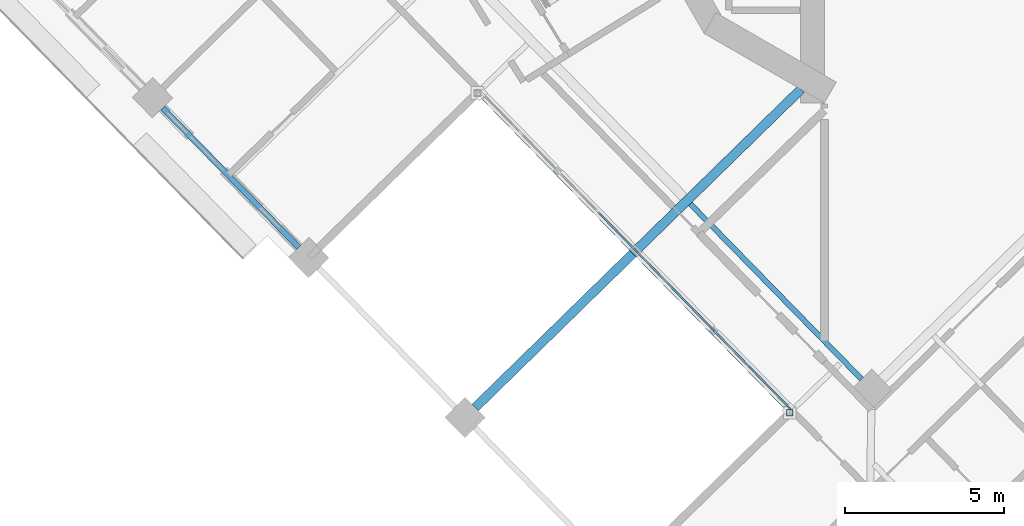
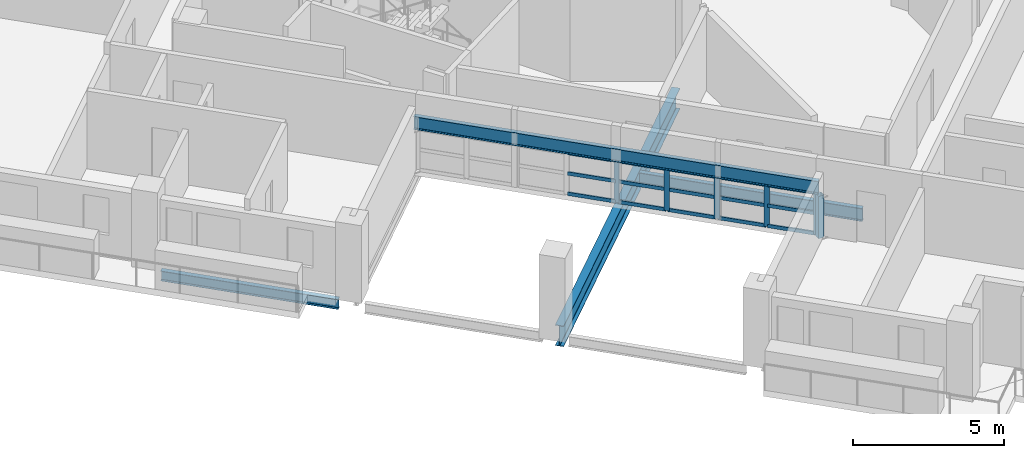
# One storey, part 2 of 19: 21 members, 4 beams, 1 element without a shape of its own.
"""IFC4 building model written with IfcOpenShell, lengths in metres."""

from ifc_helpers import new_model, si_unit, direction, frame, origin, origin_2d, place, context, subcontext, project, spatial, rectangle, hollow_rectangle, i_section, extrude, material, material_profile, profile_set, type_object, element, aggregate, save


model = new_model("IFC4")

# Units and contexts
model_context = context("Model", 3, precision=1e-05, world=origin(), true_north=direction((0.0, 1.0)))
body_context = subcontext(model_context, "Body", "Model", "MODEL_VIEW")
ifc_project = project(units=[si_unit("LENGTHUNIT", "METRE"), si_unit("AREAUNIT", "SQUARE_METRE"), si_unit("VOLUMEUNIT", "CUBIC_METRE"), si_unit("PLANEANGLEUNIT", "RADIAN"), si_unit("MASSUNIT", "GRAM", prefix="KILO")], contexts=[model_context])

# Site, building, storey
site_placement = place(None, origin())
site = spatial("IfcSite", under=ifc_project, at=site_placement, CompositionType="ELEMENT")
building_placement = place(site_placement, origin())
building = spatial("IfcBuilding", under=site, at=building_placement, Name="Cantera Rosa Tower", CompositionType="ELEMENT")
storey_placement = place(building_placement, frame((0.0, 0.0, 241.39990234375)))
storey = spatial("IfcBuildingStorey", under=building, at=storey_placement, Name="L53", CompositionType="ELEMENT", Elevation=241.39990234375)

# Curtain wall, members
ifc_material_1 = material(Name="Aluminium frame with clear glass", Category="aluminium")
curtain_wall_type = type_object("IfcCurtainWallType", Name="CW1 TERRACE POCKET GLAZING", PredefinedType="NOTDEFINED", material=ifc_material_1)
curtain_wall_placement = place(storey_placement, origin())
curtain_wall = element("IfcCurtainWall", 1, at=curtain_wall_placement, inside=storey, type_object=curtain_wall_type, Name="CW1 CW1", PredefinedType="NOTDEFINED")
ifc_material_2 = material(Name="Anodised bronze aluminium", Category="aluminium")
ifc_material_profile_1 = material_profile(ifc_material_2, rectangle(XDim=0.06005859375, YDim=0.179931640625, at=origin_2d()), Name="CW-MULLION 60x180 POCKET")
ifc_profile_set_1 = profile_set([ifc_material_profile_1], Name="Anodised bronze aluminium")
member_type_1 = type_object("IfcMemberType", Name="CW-MULLION 60x180 POCKET", PredefinedType="MULLION", material=ifc_profile_set_1)
member_1_placement = place(storey_placement, frame((-9.921630859375, -14.600341796875, 0.0), z_axis=(0.0, 0.0, 1.0), x_axis=(0.715286291058, 0.698831540376, 0.0)))
member_1 = element("IfcMember", 2, at=member_1_placement, type_object=member_type_1, Name="CW1 mullion 5", PredefinedType="MULLION", context=body_context, shape_type="SweptSolid", body=[
    extrude(rectangle(XDim=0.06005859375, YDim=0.179931640625, at=origin_2d()), origin(), (0.0, 0.0, 1.0), 1.7041015625),
])
member_2_placement = place(storey_placement, frame((-8.717041015625, -15.83349609375, 0.0), z_axis=(0.0, 0.0, 1.0), x_axis=(0.715286291058, 0.698831540376, 0.0)))
member_2 = element("IfcMember", 3, at=member_2_placement, type_object=member_type_1, Name="CW1 mullion 6", PredefinedType="MULLION", context=body_context, shape_type="SweptSolid", body=[
    extrude(rectangle(XDim=0.06005859375, YDim=0.179931640625, at=origin_2d()), origin(), (0.0, 0.0, 1.0), 1.7041015625),
])
member_3_placement = place(storey_placement, frame((-7.512451171875, -17.06640625, 0.0), z_axis=(0.0, 0.0, 1.0), x_axis=(0.715286291058, 0.698831540376, 0.0)))
member_3 = element("IfcMember", 4, at=member_3_placement, type_object=member_type_1, Name="CW1 mullion 7", PredefinedType="MULLION", context=body_context, shape_type="SweptSolid", body=[
    extrude(rectangle(XDim=0.06005859375, YDim=0.179931640625, at=origin_2d()), origin(), (0.0, 0.0, 1.0), 1.7041015625),
])
member_4_placement = place(storey_placement, frame((-6.3076171875, -18.29931640625, 0.0), z_axis=(0.0, 0.0, 1.0), x_axis=(0.715286291058, 0.698831540376, 0.0)))
member_4 = element("IfcMember", 5, at=member_4_placement, type_object=member_type_1, Name="CW1 mullion 8", PredefinedType="MULLION", context=body_context, shape_type="SweptSolid", body=[
    extrude(rectangle(XDim=0.06005859375, YDim=0.179931640625, at=origin_2d()), origin(), (0.0, 0.0, 1.0), 1.7041015625),
])
member_5_placement = place(storey_placement, frame((-5.1240234375, -19.510986328125, 0.0), z_axis=(0.0, 0.0, 1.0), x_axis=(0.715286291058, 0.698831540376, 0.0)))
member_5 = element("IfcMember", 6, at=member_5_placement, type_object=member_type_1, Name="CW1 mullion 9", PredefinedType="MULLION", context=body_context, shape_type="SweptSolid", body=[
    extrude(rectangle(XDim=0.06005859375, YDim=0.179931640625, at=origin_2d()), origin(), (0.0, 0.0, 1.0), 1.7041015625),
])
ifc_material_3 = material(Name="Anodised bronze aluminium", Category="aluminium")
ifc_material_profile_2 = material_profile(ifc_material_3, rectangle(XDim=0.06005859375, YDim=0.139892578125, at=origin_2d()), Name="CW-TRANSOM 60x140 POCKET")
ifc_profile_set_2 = profile_set([ifc_material_profile_2], Name="Anodised bronze aluminium")
member_type_2 = type_object("IfcMemberType", Name="CW-TRANSOM 60x140 POCKET", PredefinedType="USERDEFINED", material=ifc_profile_set_2)
member_6_placement = place(storey_placement, frame((-11.105224609375, -13.388916015625, 0.030029296875), z_axis=(0.698767465746, -0.71534888608, 0.0), x_axis=(0.71534888608, 0.698767465746, 0.0)))
member_6 = element("IfcMember", 7, at=member_6_placement, type_object=member_type_2, Name="CW1 transom 4.1", ObjectType="TRANSOM", PredefinedType="USERDEFINED", context=body_context, shape_type="SweptSolid", body=[
    extrude(rectangle(XDim=0.06005859375, YDim=0.139892578125, at=origin_2d()), origin(), (0.0, 0.0, 1.0), 1.663818359375),
])
member_7_placement = place(storey_placement, frame((-11.105224609375, -13.388916015625, 0.85205078125), z_axis=(0.698767465746, -0.71534888608, 0.0), x_axis=(0.71534888608, 0.698767465746, 0.0)))
member_7 = element("IfcMember", 8, at=member_7_placement, type_object=member_type_2, Name="CW1 transom 4.2", ObjectType="TRANSOM", PredefinedType="USERDEFINED", context=body_context, shape_type="SweptSolid", body=[
    extrude(rectangle(XDim=0.06005859375, YDim=0.139892578125, at=origin_2d()), origin(), (0.0, 0.0, 1.0), 1.663818359375),
])
member_8_placement = place(storey_placement, frame((-11.105224609375, -13.388916015625, 1.674072265625), z_axis=(0.698767465746, -0.71534888608, 0.0), x_axis=(0.71534888608, 0.698767465746, 0.0)))
member_8 = element("IfcMember", 9, at=member_8_placement, type_object=member_type_2, Name="CW1 transom 4.3", ObjectType="TRANSOM", PredefinedType="USERDEFINED", context=body_context, shape_type="SweptSolid", body=[
    extrude(rectangle(XDim=0.06005859375, YDim=0.139892578125, at=origin_2d()), origin(), (0.0, 0.0, 1.0), 1.663818359375),
])
member_9_placement = place(storey_placement, frame((-9.900634765625, -14.621826171875, 0.030029296875), z_axis=(0.698842543678, -0.715275540716, 0.0), x_axis=(0.715275540716, 0.698842543678, 0.0)))
member_9 = element("IfcMember", 10, at=member_9_placement, type_object=member_type_2, Name="CW1 transom 5.1", ObjectType="TRANSOM", PredefinedType="USERDEFINED", context=body_context, shape_type="SweptSolid", body=[
    extrude(rectangle(XDim=0.06005859375, YDim=0.139892578125, at=origin_2d()), origin(), (0.0, 0.0, 1.0), 1.6640625),
])
member_10_placement = place(storey_placement, frame((-9.900634765625, -14.621826171875, 0.85205078125), z_axis=(0.698842543678, -0.715275540716, 0.0), x_axis=(0.715275540716, 0.698842543678, 0.0)))
member_10 = element("IfcMember", 11, at=member_10_placement, type_object=member_type_2, Name="CW1 transom 5.2", ObjectType="TRANSOM", PredefinedType="USERDEFINED", context=body_context, shape_type="SweptSolid", body=[
    extrude(rectangle(XDim=0.06005859375, YDim=0.139892578125, at=origin_2d()), origin(), (0.0, 0.0, 1.0), 1.6640625),
])
member_11_placement = place(storey_placement, frame((-9.900634765625, -14.621826171875, 1.674072265625), z_axis=(0.698842543678, -0.715275540716, 0.0), x_axis=(0.715275540716, 0.698842543678, 0.0)))
member_11 = element("IfcMember", 12, at=member_11_placement, type_object=member_type_2, Name="CW1 transom 5.3", ObjectType="TRANSOM", PredefinedType="USERDEFINED", context=body_context, shape_type="SweptSolid", body=[
    extrude(rectangle(XDim=0.06005859375, YDim=0.139892578125, at=origin_2d()), origin(), (0.0, 0.0, 1.0), 1.6640625),
])
member_12_placement = place(storey_placement, frame((-8.696044921875, -15.85498046875, 0.030029296875), z_axis=(0.698915889484, -0.715203872632, 0.0), x_axis=(0.715203872632, 0.698915889484, 0.0)))
member_12 = element("IfcMember", 13, at=member_12_placement, type_object=member_type_2, Name="CW1 transom 6.1", ObjectType="TRANSOM", PredefinedType="USERDEFINED", context=body_context, shape_type="SweptSolid", body=[
    extrude(rectangle(XDim=0.06005859375, YDim=0.139892578125, at=origin_2d()), origin(), (0.0, 0.0, 1.0), 1.663818359375),
])
member_13_placement = place(storey_placement, frame((-8.696044921875, -15.85498046875, 0.85205078125), z_axis=(0.698915889484, -0.715203872632, 0.0), x_axis=(0.715203872632, 0.698915889484, 0.0)))
member_13 = element("IfcMember", 14, at=member_13_placement, type_object=member_type_2, Name="CW1 transom 6.2", ObjectType="TRANSOM", PredefinedType="USERDEFINED", context=body_context, shape_type="SweptSolid", body=[
    extrude(rectangle(XDim=0.06005859375, YDim=0.139892578125, at=origin_2d()), origin(), (0.0, 0.0, 1.0), 1.663818359375),
])
member_14_placement = place(storey_placement, frame((-8.696044921875, -15.85498046875, 1.674072265625), z_axis=(0.698915889484, -0.715203872632, 0.0), x_axis=(0.715203872632, 0.698915889484, 0.0)))
member_14 = element("IfcMember", 15, at=member_14_placement, type_object=member_type_2, Name="CW1 transom 6.3", ObjectType="TRANSOM", PredefinedType="USERDEFINED", context=body_context, shape_type="SweptSolid", body=[
    extrude(rectangle(XDim=0.06005859375, YDim=0.139892578125, at=origin_2d()), origin(), (0.0, 0.0, 1.0), 1.663818359375),
])
member_15_placement = place(storey_placement, frame((-7.491455078125, -17.087890625, 0.030029296875), z_axis=(0.698915889484, -0.715203872632, 0.0), x_axis=(0.715203872632, 0.698915889484, 0.0)))
member_15 = element("IfcMember", 16, at=member_15_placement, type_object=member_type_2, Name="CW1 transom 7.1", ObjectType="TRANSOM", PredefinedType="USERDEFINED", context=body_context, shape_type="SweptSolid", body=[
    extrude(rectangle(XDim=0.06005859375, YDim=0.139892578125, at=origin_2d()), origin(), (0.0, 0.0, 1.0), 1.663818359375),
])
member_16_placement = place(storey_placement, frame((-7.491455078125, -17.087890625, 0.85205078125), z_axis=(0.698915889484, -0.715203872632, 0.0), x_axis=(0.715203872632, 0.698915889484, 0.0)))
member_16 = element("IfcMember", 17, at=member_16_placement, type_object=member_type_2, Name="CW1 transom 7.2", ObjectType="TRANSOM", PredefinedType="USERDEFINED", context=body_context, shape_type="SweptSolid", body=[
    extrude(rectangle(XDim=0.06005859375, YDim=0.139892578125, at=origin_2d()), origin(), (0.0, 0.0, 1.0), 1.663818359375),
])
member_17_placement = place(storey_placement, frame((-7.491455078125, -17.087890625, 1.674072265625), z_axis=(0.698915889484, -0.715203872632, 0.0), x_axis=(0.715203872632, 0.698915889484, 0.0)))
member_17 = element("IfcMember", 18, at=member_17_placement, type_object=member_type_2, Name="CW1 transom 7.3", ObjectType="TRANSOM", PredefinedType="USERDEFINED", context=body_context, shape_type="SweptSolid", body=[
    extrude(rectangle(XDim=0.06005859375, YDim=0.139892578125, at=origin_2d()), origin(), (0.0, 0.0, 1.0), 1.663818359375),
])
member_18_placement = place(storey_placement, frame((-6.286865234375, -18.32080078125, 0.030029296875), z_axis=(0.698840881454, -0.715277164747, 0.0), x_axis=(0.715277164747, 0.698840881454, 0.0)))
member_18 = element("IfcMember", 19, at=member_18_placement, type_object=member_type_2, Name="CW1 transom 8.1", ObjectType="TRANSOM", PredefinedType="USERDEFINED", context=body_context, shape_type="SweptSolid", body=[
    extrude(rectangle(XDim=0.06005859375, YDim=0.139892578125, at=origin_2d()), origin(), (0.0, 0.0, 1.0), 1.634033203125),
])
member_19_placement = place(storey_placement, frame((-6.286865234375, -18.32080078125, 0.85205078125), z_axis=(0.698840881454, -0.715277164747, 0.0), x_axis=(0.715277164747, 0.698840881454, 0.0)))
member_19 = element("IfcMember", 20, at=member_19_placement, type_object=member_type_2, Name="CW1 transom 8.2", ObjectType="TRANSOM", PredefinedType="USERDEFINED", context=body_context, shape_type="SweptSolid", body=[
    extrude(rectangle(XDim=0.06005859375, YDim=0.139892578125, at=origin_2d()), origin(), (0.0, 0.0, 1.0), 1.634033203125),
])
member_20_placement = place(storey_placement, frame((-6.286865234375, -18.32080078125, 1.674072265625), z_axis=(0.698840881454, -0.715277164747, 0.0), x_axis=(0.715277164747, 0.698840881454, 0.0)))
member_20 = element("IfcMember", 21, at=member_20_placement, type_object=member_type_2, Name="CW1 transom 8.3", ObjectType="TRANSOM", PredefinedType="USERDEFINED", context=body_context, shape_type="SweptSolid", body=[
    extrude(rectangle(XDim=0.06005859375, YDim=0.139892578125, at=origin_2d()), origin(), (0.0, 0.0, 1.0), 1.634033203125),
])
aggregate(curtain_wall, [member_1, member_2, member_3, member_4, member_5, member_6, member_7, member_8, member_9, member_10, member_11, member_12, member_13, member_14, member_15, member_16, member_17, member_18, member_19, member_20])

# Member
ifc_material_4 = material(Name="Steel ASTM A992 (Fy 345 MPa)", Category="steel")
ifc_material_profile_3 = material_profile(ifc_material_4, hollow_rectangle(XDim=0.199951171875, YDim=0.199951171875, WallThickness=0.010009765625, at=origin_2d()), Name="LINTEL POST RHS 200x200x10")
ifc_profile_set_3 = profile_set([ifc_material_profile_3], Name="Steel ASTM A992 (Fy 345 MPa)")
member_type_3 = type_object("IfcMemberType", Name="LINTEL POST RHS 200x200x10", PredefinedType="USERDEFINED", material=ifc_profile_set_3)
member_21_placement = place(storey_placement, frame((-5.08740234375, -19.691650390625, 0.0), z_axis=(0.0, 0.0, 1.0), x_axis=(1.0, 0.0, 0.0)))
element("IfcMember", 22, at=member_21_placement, inside=storey, type_object=member_type_3, Name="LINTEL POST L53-2", ObjectType="LINTEL POST", PredefinedType="USERDEFINED", context=body_context, shape_type="SweptSolid", body=[
    extrude(hollow_rectangle(XDim=0.199951171875, YDim=0.199951171875, WallThickness=0.010009765625, at=origin_2d()), origin(), (0.0, 0.0, 1.0), 1.7060546875),
])

# Beams
ifc_material_5 = material(Name="Steel ASTM A992 (Fy 345 MPa)", Category="steel")
ifc_material_profile_4 = material_profile(ifc_material_5, i_section(OverallWidth=0.166015625, OverallDepth=0.528076171875, WebThickness=0.009765625, FlangeThickness=0.013671875, FilletRadius=0.0126953125, at=origin_2d()), Name="W530X74")
ifc_profile_set_4 = profile_set([ifc_material_profile_4], Name="Steel ASTM A992 (Fy 345 MPa)")
beam_type_1 = type_object("IfcBeamType", Name="STEEL BEAM W530X74", PredefinedType="BEAM", material=ifc_profile_set_4)
beam_1_placement = place(storey_placement, frame((-2.833251953125, -18.635986328125, -0.513916015625), z_axis=(-0.698820376914, 0.71529719754, 0.0), x_axis=(-0.71529719754, -0.698820376914, 0.0)))
element("IfcBeam", 23, at=beam_1_placement, inside=storey, type_object=beam_type_1, Name="RB-Z4-06 L53", PredefinedType="BEAM", context=body_context, shape_type="SweptSolid", body=[
    extrude(i_section(OverallWidth=0.166015625, OverallDepth=0.528076171875, WebThickness=0.009765625, FlangeThickness=0.013671875, FilletRadius=0.0126953125, at=origin_2d()), origin(), (0.0, 0.0, 1.0), 7.690185546875),
])
beam_2_placement = place(storey_placement, frame((-14.828125, -9.64990234375, 1.97021484375), z_axis=(0.698836233689, -0.715281705682, 0.0), x_axis=(0.715281705682, 0.698836233689, 0.0)))
element("IfcBeam", 24, at=beam_2_placement, inside=storey, type_object=beam_type_1, Name="LINTEL SL-L53", PredefinedType="BEAM", context=body_context, shape_type="SweptSolid", body=[
    extrude(i_section(OverallWidth=0.166015625, OverallDepth=0.528076171875, WebThickness=0.009765625, FlangeThickness=0.013671875, FilletRadius=0.0126953125, at=origin_2d()), origin(), (0.0, 0.0, 1.0), 13.93994140625),
])
ifc_material_6 = material(Name="Steel ASTM A992 (Fy 345 MPa)", Category="steel")
ifc_material_profile_5 = material_profile(ifc_material_6, i_section(OverallWidth=0.2919921875, OverallDepth=0.8359375, WebThickness=0.013916015625, FlangeThickness=0.018798828125, FilletRadius=0.017822265625, at=origin_2d()), Name="W840X176")
ifc_profile_set_5 = profile_set([ifc_material_profile_5], Name="Steel ASTM A992 (Fy 345 MPa)")
beam_type_2 = type_object("IfcBeamType", Name="STEEL BEAM W840X176", PredefinedType="BEAM", material=ifc_profile_set_5)
beam_3_placement = place(storey_placement, frame((-14.96435546875, -19.527099609375, -0.66796875), z_axis=(0.715288446628, 0.698829334045, 0.0), x_axis=(-0.698829334045, 0.715288446628, 0.0)))
element("IfcBeam", 25, at=beam_3_placement, inside=storey, type_object=beam_type_2, Name="G-Z4-15 L53", PredefinedType="BEAM", context=body_context, shape_type="SweptSolid", body=[
    extrude(i_section(OverallWidth=0.2919921875, OverallDepth=0.8359375, WebThickness=0.013916015625, FlangeThickness=0.018798828125, FilletRadius=0.017822265625, at=origin_2d()), origin(), (0.0, 0.0, 1.0), 14.299072265625),
])
ifc_material_7 = material(Name="Steel ASTM A992 (Fy 345 MPa)", Category="steel")
ifc_material_profile_6 = material_profile(ifc_material_7, i_section(OverallWidth=0.177978515625, OverallDepth=0.406005859375, WebThickness=0.0078125, FlangeThickness=0.0126953125, FilletRadius=0.01025390625, at=origin_2d()), Name="W410X60")
ifc_profile_set_6 = profile_set([ifc_material_profile_6], Name="Steel ASTM A992 (Fy 345 MPa)")
beam_type_3 = type_object("IfcBeamType", Name="STEEL SPANDREL BEAM W410X60", PredefinedType="SPANDREL", material=ifc_profile_set_6)
beam_4_placement = place(storey_placement, frame((-24.783203125, -10.120849609375, -0.452880859375), z_axis=(0.698800768177, -0.715316354067, 0.0), x_axis=(0.715316354067, 0.698800768177, 0.0)))
element("IfcBeam", 26, at=beam_4_placement, inside=storey, type_object=beam_type_3, Name="EB-Z4-16 L53", PredefinedType="SPANDREL", context=body_context, shape_type="SweptSolid", body=[
    extrude(i_section(OverallWidth=0.177978515625, OverallDepth=0.406005859375, WebThickness=0.0078125, FlangeThickness=0.0126953125, FilletRadius=0.01025390625, at=origin_2d()), origin(), (0.0, 0.0, 1.0), 6.119873046875),
])

save(model, "model.ifc")
